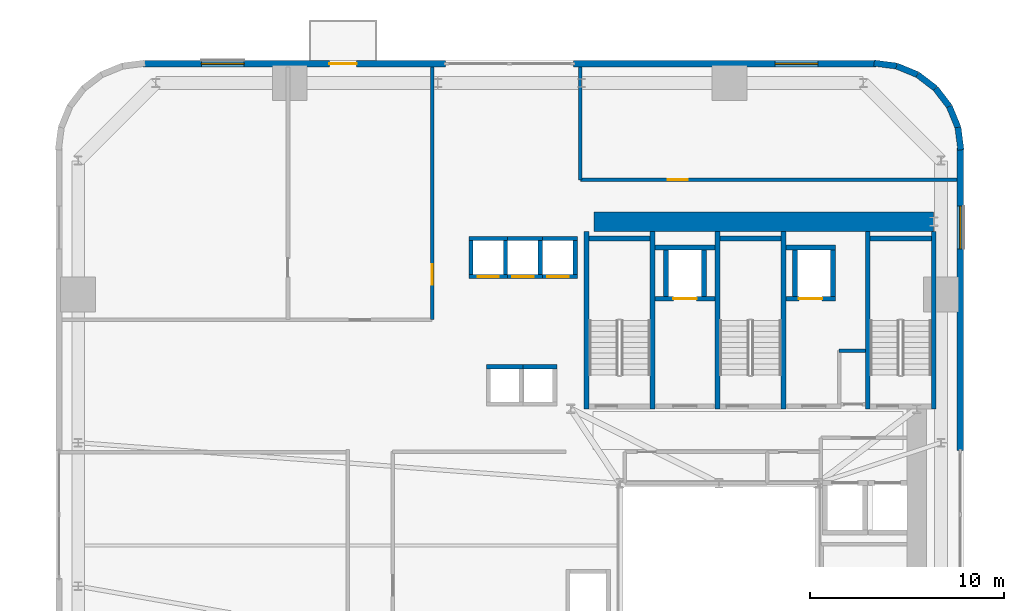
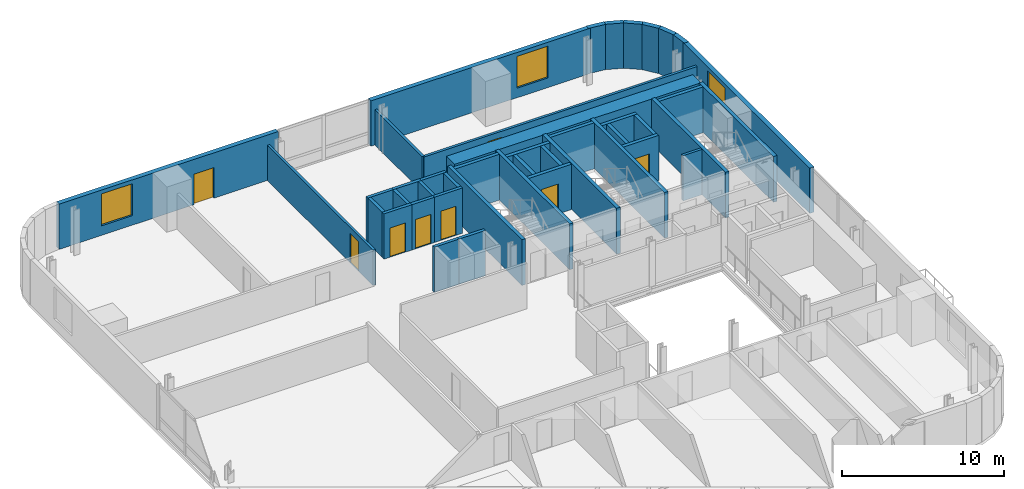
# One storey, part 8 of 13: 43 walls, 8 doors, 3 windows, 11 openings.
"""IFC4 building model written with IfcOpenShell, lengths in metres."""

from ifc_helpers import new_model, si_unit, direction, frame, frame_2d, origin, place, context, subcontext, project, spatial, rectangle, extrude, source, transform, mapped, material, layer, layer_set, type_object, element, fill, save


model = new_model("IFC4")

# Units and contexts
model_context = context("Model", 3, precision=1e-05, world=origin(), true_north=direction((0.0, 1.0)))
body_context = subcontext(model_context, "Body", "Model", "MODEL_VIEW")
ifc_project = project(units=[si_unit("LENGTHUNIT", "METRE"), si_unit("AREAUNIT", "SQUARE_METRE"), si_unit("VOLUMEUNIT", "CUBIC_METRE"), si_unit("PLANEANGLEUNIT", "RADIAN"), si_unit("MASSUNIT", "GRAM", prefix="KILO")], contexts=[model_context])

# Site, building, storey
site_placement = place(None, origin())
site = spatial("IfcSite", under=ifc_project, at=site_placement, CompositionType="ELEMENT")
building_placement = place(site_placement, origin())
building = spatial("IfcBuilding", under=site, at=building_placement, Name="Vardaveli Station Tower", CompositionType="ELEMENT")
storey_placement = place(building_placement, frame((0.0, 0.0, 82.35009765625)))
storey = spatial("IfcBuildingStorey", under=building, at=storey_placement, Name="L21", CompositionType="ELEMENT", Elevation=82.35009765625)

# Wall
ifc_material_1 = material(Name="Concrete C60/75", Category="concrete")
ifc_layer_1 = layer(ifc_material_1, 1.0, Name="Concrete C60/75")
ifc_layer_set_1 = layer_set([ifc_layer_1], Name="Concrete C60/75")
wall_type_1 = type_object("IfcWallType", Name="WAL-CORE-1000", PredefinedType="SHEAR", material=ifc_layer_set_1)
shared_shape_1 = source(origin(), body_context, "Body", "SweptSolid", [
    extrude(rectangle(XDim=17.52001953125, YDim=1.0, at=frame_2d((8.760009765625, 0.0))), origin(), (0.0, 0.0, 1.0), 3.409912109375),
])
wall_1_placement = place(storey_placement, frame((29.85009765625, 40.300048828125, 0.0), z_axis=(0.0, 0.0, 1.0), x_axis=(1.0, 0.0, 0.0)))
element("IfcWall", 1, at=wall_1_placement, inside=storey, type_object=wall_type_1, Name="SW-L21-NORTH", PredefinedType="SHEAR", context=body_context, shape_type="MappedRepresentation", body=[
    mapped(shared_shape_1, transform((0.0, 0.0, 0.0), scale=1.0)),
])

# Wall, opening, window
ifc_material_2 = material(Name="Precast concrete C45/55", Category="concrete")
ifc_layer_2 = layer(ifc_material_2, 0.320068359375, Name="Precast concrete C45/55")
ifc_layer_set_2 = layer_set([ifc_layer_2], Name="Precast concrete C45/55")
wall_type_2 = type_object("IfcWallType", Name="WAL-EXT-STONE-320", PredefinedType="SOLIDWALL", material=ifc_layer_set_2)
shared_shape_2 = source(origin(), body_context, "Body", "SweptSolid", [
    extrude(rectangle(XDim=15.599853515625, YDim=0.320068359375, at=frame_2d((7.7998046875, 0.0))), origin(), (0.0, 0.0, 1.0), 3.409912109375),
])
wall_2_placement = place(storey_placement, frame((44.39990234375, 48.43994140625, 0.0), z_axis=(0.0, 0.0, 1.0), x_axis=(-1.0, 0.0, 0.0)))
wall_2 = element("IfcWall", 2, at=wall_2_placement, inside=storey, type_object=wall_type_2, Name="EW-L21-N1", PredefinedType="SOLIDWALL", context=body_context, shape_type="MappedRepresentation", body=[
    mapped(shared_shape_2, transform((0.0, 0.0, 0.0), scale=1.0)),
])
shared_shape_3 = source(origin(), body_context, "Body", "SweptSolid", [
    extrude(rectangle(XDim=2.199951171875, YDim=2.39990234375, at=frame_2d((1.10009765625, 1.199951171875))), frame((0.0, 0.169921875, 0.0), z_axis=(0.0, -1.0, 0.0), x_axis=(1.0, 0.0, 0.0)), (0.0, 0.0, 1.0), 0.340087890625),
])
opening_1_placement = place(wall_2_placement, frame((3.0048828125, 0.0, 0.719970703125)))
opening_1 = element("IfcOpeningElement", 3, at=opening_1_placement, cuts=wall_2, Name="Opening W-03", PredefinedType="OPENING", context=body_context, shape_type="MappedRepresentation", body=[
    mapped(shared_shape_3, transform((0.0, 0.0, 0.0), scale=1.0)),
])
ifc_material_3 = material(Name="Low-E solar-control glass", Category="glass")
window_type = type_object("IfcWindowType", Name="WIN-LOG-2200x2400", PartitioningType="SINGLE_PANEL", PredefinedType="WINDOW", material=ifc_material_3)
shared_shape_4 = source(origin(), body_context, "Body", "SweptSolid", [
    extrude(rectangle(XDim=2.199951171875, YDim=2.39990234375, at=frame_2d((1.10009765625, 1.199951171875))), frame((0.0, 0.030029296875, 0.0), z_axis=(0.0, -1.0, 0.0), x_axis=(1.0, 0.0, 0.0)), (0.0, 0.0, 1.0), 0.06005859375),
])
window_1_placement = place(opening_1_placement, origin())
window_1 = element("IfcWindow", 4, at=window_1_placement, inside=storey, type_object=window_type, Name="WN-L21-N1", OverallHeight=2.39990234375, OverallWidth=2.199951171875, PartitioningType="SINGLE_PANEL", PredefinedType="WINDOW", context=body_context, shape_type="MappedRepresentation", body=[
    mapped(shared_shape_4, transform((0.0, 0.0, 0.0), scale=1.0)),
])
fill(opening_1, window_1)

# Wall, openings, door, window
wall_3_placement = place(storey_placement, frame((22.199951171875, 48.43994140625, 0.0), z_axis=(0.0, 0.0, 1.0), x_axis=(-1.0, 0.0, 0.0)))
wall_3 = element("IfcWall", 5, at=wall_3_placement, inside=storey, type_object=wall_type_2, Name="EW-L21-N2", PredefinedType="SOLIDWALL", context=body_context, shape_type="MappedRepresentation", body=[
    mapped(shared_shape_2, transform((0.0, 0.0, 0.0), scale=1.0)),
])
shared_shape_5 = source(origin(), body_context, "Body", "SweptSolid", [
    extrude(rectangle(XDim=1.39990234375, YDim=2.300048828125, at=frame_2d((0.699951171875, 1.14990234375))), frame((0.0, 0.169921875, 0.0), z_axis=(0.0, -1.0, 0.0), x_axis=(1.0, 0.0, 0.0)), (0.0, 0.0, 1.0), 0.340087890625),
])
opening_2_placement = place(wall_3_placement, frame((4.589599609375, 0.0, 0.0)))
opening_2 = element("IfcOpeningElement", 6, at=opening_2_placement, cuts=wall_3, Name="Opening D-09", PredefinedType="OPENING", context=body_context, shape_type="MappedRepresentation", body=[
    mapped(shared_shape_5, transform((0.0, 0.0, 0.0), scale=1.0)),
])
opening_3_placement = place(wall_3_placement, frame((10.39501953125, 0.0, 0.719970703125)))
opening_3 = element("IfcOpeningElement", 7, at=opening_3_placement, cuts=wall_3, Name="Opening W-03", PredefinedType="OPENING", context=body_context, shape_type="MappedRepresentation", body=[
    mapped(shared_shape_3, transform((0.0, 0.0, 0.0), scale=1.0)),
])
ifc_material_4 = material(Name="Thermally broken aluminium glass", Category="aluminium")
door_type_1 = type_object("IfcDoorType", Name="DR-LOG-1400x2300", OperationType="DOUBLE_DOOR_SLIDING", PredefinedType="DOOR", material=ifc_material_4)
shared_shape_6 = source(origin(), body_context, "Body", "SweptSolid", [
    extrude(rectangle(XDim=1.39990234375, YDim=2.300048828125, at=frame_2d((0.699951171875, 1.14990234375))), frame((0.0, 0.02490234375, 0.0), z_axis=(0.0, -1.0, 0.0), x_axis=(1.0, 0.0, 0.0)), (0.0, 0.0, 1.0), 0.050048828125),
])
door_1_placement = place(opening_2_placement, frame((1.39990234375, 0.0, 0.0), z_axis=(0.0, 0.0, 1.0), x_axis=(-1.0, 0.0, 0.0)))
door_1 = element("IfcDoor", 8, at=door_1_placement, inside=storey, type_object=door_type_1, Name="DLG-L21-N", OperationType="DOUBLE_DOOR_SLIDING", OverallHeight=2.300048828125, OverallWidth=1.39990234375, PredefinedType="DOOR", context=body_context, shape_type="MappedRepresentation", body=[
    mapped(shared_shape_6, transform((0.0, 0.0, 0.0), scale=1.0)),
])
fill(opening_2, door_1)
window_2_placement = place(opening_3_placement, origin())
window_2 = element("IfcWindow", 9, at=window_2_placement, inside=storey, type_object=window_type, Name="WN-L21-N2", OverallHeight=2.39990234375, OverallWidth=2.199951171875, PartitioningType="SINGLE_PANEL", PredefinedType="WINDOW", context=body_context, shape_type="MappedRepresentation", body=[
    mapped(shared_shape_4, transform((0.0, 0.0, 0.0), scale=1.0)),
])
fill(opening_3, window_2)

# Wall, opening, window
shared_shape_7 = source(origin(), body_context, "Body", "SweptSolid", [
    extrude(rectangle(XDim=15.60009765625, YDim=0.320068359375, at=frame_2d((7.800048828125, 0.0))), origin(), (0.0, 0.0, 1.0), 3.409912109375),
])
wall_4_placement = place(storey_placement, frame((48.739990234375, 28.5, 0.0), z_axis=(0.0, 0.0, 1.0), x_axis=(0.0, 1.0, 0.0)))
wall_4 = element("IfcWall", 10, at=wall_4_placement, inside=storey, type_object=wall_type_2, Name="EW-L21-E2", PredefinedType="SOLIDWALL", context=body_context, shape_type="MappedRepresentation", body=[
    mapped(shared_shape_7, transform((0.0, 0.0, 0.0), scale=1.0)),
])
opening_4_placement = place(wall_4_placement, frame((10.39501953125, 0.0, 0.719970703125)))
opening_4 = element("IfcOpeningElement", 11, at=opening_4_placement, cuts=wall_4, Name="Opening W-03", PredefinedType="OPENING", context=body_context, shape_type="MappedRepresentation", body=[
    mapped(shared_shape_3, transform((0.0, 0.0, 0.0), scale=1.0)),
])
window_3_placement = place(opening_4_placement, origin())
window_3 = element("IfcWindow", 12, at=window_3_placement, inside=storey, type_object=window_type, Name="WN-L21-E2", OverallHeight=2.39990234375, OverallWidth=2.199951171875, PartitioningType="SINGLE_PANEL", PredefinedType="WINDOW", context=body_context, shape_type="MappedRepresentation", body=[
    mapped(shared_shape_4, transform((0.0, 0.0, 0.0), scale=1.0)),
])
fill(opening_4, window_3)

# Walls
shared_shape_8 = source(origin(), body_context, "Body", "SweptSolid", [
    extrude(rectangle(XDim=1.1689453125, YDim=0.320068359375, at=frame_2d((0.58447265625, 0.0))), origin(), (0.0, 0.0, 1.0), 3.409912109375),
])
wall_5_placement = place(storey_placement, frame((48.179931640625, 46.2412109375, 0.0), z_axis=(0.0, 0.0, 1.0), x_axis=(-0.608387696831, 0.793639975269, 0.0)))
element("IfcWall", 13, at=wall_5_placement, inside=storey, type_object=wall_type_2, Name="EW-L21-CR3-3", PredefinedType="SOLIDWALL", context=body_context, shape_type="MappedRepresentation", body=[
    mapped(shared_shape_8, transform((0.0, 0.0, 0.0), scale=1.0)),
])
shared_shape_9 = source(origin(), body_context, "Body", "SweptSolid", [
    extrude(rectangle(XDim=1.168701171875, YDim=0.320068359375, at=frame_2d((0.58447265625, 0.0))), origin(), (0.0, 0.0, 1.0), 3.409912109375),
])
wall_6_placement = place(storey_placement, frame((47.46875, 47.1689453125, 0.0), z_axis=(0.0, 0.0, 1.0), x_axis=(-0.793663520347, 0.608356981114, 0.0)))
element("IfcWall", 14, at=wall_6_placement, inside=storey, type_object=wall_type_2, Name="EW-L21-CR3-4", PredefinedType="SOLIDWALL", context=body_context, shape_type="MappedRepresentation", body=[
    mapped(shared_shape_9, transform((0.0, 0.0, 0.0), scale=1.0)),
])
shared_shape_10 = source(origin(), body_context, "Body", "SweptSolid", [
    extrude(rectangle(XDim=1.17041015625, YDim=0.320068359375, at=frame_2d((0.585205078125, 0.0))), origin(), (0.0, 0.0, 1.0), 3.409912109375),
])
for number, where, z_axis, x_axis, name in (
    (15, (48.775634765625, 43.99951171875, 0.0), (0.0, 0.0, 1.0), (-0.128295670475, 0.991735963317, 0.0), "EW-L21-CR3-1"),
    (16, (45.460205078125, 48.325439453125, 0.0), (0.0, 0.0, 1.0), (-0.991735963317, 0.128295670475, 0.0), "EW-L21-CR3-6"),
):
    element("IfcWall", number, at=place(storey_placement, frame(where, z_axis=z_axis, x_axis=x_axis)), inside=storey, type_object=wall_type_2, Name=name, PredefinedType="SOLIDWALL", context=body_context, shape_type="MappedRepresentation", body=[
        mapped(shared_shape_10, transform((0.0, 0.0, 0.0), scale=1.0)),
    ])
shared_shape_11 = source(origin(), body_context, "Body", "SweptSolid", [
    extrude(rectangle(XDim=1.169189453125, YDim=0.320068359375, at=frame_2d((0.58447265625, 0.0))), origin(), (0.0, 0.0, 1.0), 3.409912109375),
])
for number, where, z_axis, x_axis, name in (
    (17, (48.62548828125, 45.16015625, 0.0), (0.0, 0.0, 1.0), (-0.381054331552, 0.924552646638, 0.0), "EW-L21-CR3-2"),
    (18, (46.541259765625, 47.8798828125, 0.0), (0.0, 0.0, 1.0), (-0.924552646638, 0.381054331552, 0.0), "EW-L21-CR3-5"),
):
    element("IfcWall", number, at=place(storey_placement, frame(where, z_axis=z_axis, x_axis=x_axis)), inside=storey, type_object=wall_type_2, Name=name, PredefinedType="SOLIDWALL", context=body_context, shape_type="MappedRepresentation", body=[
        mapped(shared_shape_11, transform((0.0, 0.0, 0.0), scale=1.0)),
    ])
ifc_material_5 = material(Name="Concrete C40/50", Category="concrete")
ifc_layer_3 = layer(ifc_material_5, 0.25, Name="Concrete C40/50")
ifc_layer_set_3 = layer_set([ifc_layer_3], Name="Concrete C40/50")
wall_type_3 = type_object("IfcWallType", Name="WAL-SHAFT-250", PredefinedType="SOLIDWALL", material=ifc_layer_set_3)
shared_shape_12 = source(origin(), body_context, "Body", "SweptSolid", [
    extrude(rectangle(XDim=9.150146484375, YDim=0.25, at=frame_2d((4.5751953125, 0.0))), origin(), (0.0, 0.0, 1.0), 3.449951171875),
])
for number, where, z_axis, x_axis, name in (
    (19, (29.47509765625, 30.64990234375, 0.0), (0.0, 0.0, 1.0), (0.0, 1.0, 0.0), "W-L21-ST-1W"),
    (20, (32.875, 30.64990234375, 0.0), (0.0, 0.0, 1.0), (0.0, 1.0, 0.0), "W-L21-ST-1E"),
    (21, (36.22509765625, 30.64990234375, 0.0), (0.0, 0.0, 1.0), (0.0, 1.0, 0.0), "W-L21-ST-2W"),
    (22, (39.625, 30.64990234375, 0.0), (0.0, 0.0, 1.0), (0.0, 1.0, 0.0), "W-L21-ST-2E"),
    (23, (43.97509765625, 30.64990234375, 0.0), (0.0, 0.0, 1.0), (0.0, 1.0, 0.0), "W-L21-ST-3W"),
    (24, (47.375, 30.64990234375, 0.0), (0.0, 0.0, 1.0), (0.0, 1.0, 0.0), "W-L21-ST-3E"),
):
    element("IfcWall", number, at=place(storey_placement, frame(where, z_axis=z_axis, x_axis=x_axis)), inside=storey, type_object=wall_type_3, Name=name, PredefinedType="SOLIDWALL", context=body_context, shape_type="MappedRepresentation", body=[
        mapped(shared_shape_12, transform((0.0, 0.0, 0.0), scale=1.0)),
    ])
shared_shape_13 = source(origin(), body_context, "Body", "SweptSolid", [
    extrude(rectangle(XDim=3.14990234375, YDim=0.25, at=frame_2d((1.574951171875, 0.0))), origin(), (0.0, 0.0, 1.0), 3.449951171875),
])
for number, where, z_axis, x_axis, name in (
    (25, (29.60009765625, 39.425048828125, 0.0), (0.0, 0.0, 1.0), (1.0, 0.0, 0.0), "W-L21-ST-1N"),
    (26, (36.35009765625, 39.425048828125, 0.0), (0.0, 0.0, 1.0), (1.0, 0.0, 0.0), "W-L21-ST-2N"),
    (27, (44.10009765625, 39.425048828125, 0.0), (0.0, 0.0, 1.0), (1.0, 0.0, 0.0), "W-L21-ST-3N"),
):
    element("IfcWall", number, at=place(storey_placement, frame(where, z_axis=z_axis, x_axis=x_axis)), inside=storey, type_object=wall_type_3, Name=name, PredefinedType="SOLIDWALL", context=body_context, shape_type="MappedRepresentation", body=[
        mapped(shared_shape_13, transform((0.0, 0.0, 0.0), scale=1.0)),
    ])
ifc_layer_4 = layer(ifc_material_5, 0.219970703125, Name="Concrete C40/50")
ifc_layer_set_4 = layer_set([ifc_layer_4], Name="Concrete C40/50")
wall_type_4 = type_object("IfcWallType", Name="WAL-FFLOBBY-220", PredefinedType="SOLIDWALL", material=ifc_layer_set_4)
shared_shape_14 = source(origin(), body_context, "Body", "SweptSolid", [
    extrude(rectangle(XDim=1.75, YDim=0.219970703125, at=frame_2d((0.875, 0.0))), origin(), (0.0, 0.0, 1.0), 3.409912109375),
])
for number, where, z_axis, x_axis, name in (
    (28, (23.514892578125, 37.574951171875, 0.0), (0.0, 0.0, 1.0), (0.0, 1.0, 0.0), "SHW-HL1-01-L21-W"),
    (29, (25.284912109375, 37.574951171875, 0.0), (0.0, 0.0, 1.0), (0.0, 1.0, 0.0), "SHW-HL1-01-L21-E"),
    (30, (27.0849609375, 37.574951171875, 0.0), (0.0, 0.0, 1.0), (0.0, 1.0, 0.0), "SHW-HL1-02-L21-E"),
    (31, (28.885009765625, 37.574951171875, 0.0), (0.0, 0.0, 1.0), (0.0, 1.0, 0.0), "SHW-HL1-03-L21-E"),
):
    element("IfcWall", number, at=place(storey_placement, frame(where, z_axis=z_axis, x_axis=x_axis)), inside=storey, type_object=wall_type_4, Name=name, PredefinedType="SOLIDWALL", context=body_context, shape_type="MappedRepresentation", body=[
        mapped(shared_shape_14, transform((0.0, 0.0, 0.0), scale=1.0)),
    ])

# Wall, opening, door
shared_shape_15 = source(origin(), body_context, "Body", "SweptSolid", [
    extrude(rectangle(XDim=1.989990234375, YDim=0.219970703125, at=frame_2d((0.9951171875, 0.0))), origin(), (0.0, 0.0, 1.0), 3.409912109375),
])
wall_7_placement = place(storey_placement, frame((23.405029296875, 37.465087890625, 0.0), z_axis=(0.0, 0.0, 1.0), x_axis=(1.0, 0.0, 0.0)))
wall_7 = element("IfcWall", 32, at=wall_7_placement, inside=storey, type_object=wall_type_4, Name="SHW-HL1-01-L21-S", PredefinedType="SOLIDWALL", context=body_context, shape_type="MappedRepresentation", body=[
    mapped(shared_shape_15, transform((0.0, 0.0, 0.0), scale=1.0)),
])
shared_shape_16 = source(origin(), body_context, "Body", "SweptSolid", [
    extrude(rectangle(XDim=1.10009765625, YDim=2.199951171875, at=frame_2d((0.550048828125, 1.10009765625))), frame((0.0, 0.1201171875, 0.0), z_axis=(0.0, -1.0, 0.0), x_axis=(1.0, 0.0, 0.0)), (0.0, 0.0, 1.0), 0.239990234375),
])
opening_5_placement = place(wall_7_placement, frame((0.445068359375, 0.0, 0.0)))
opening_5 = element("IfcOpeningElement", 33, at=opening_5_placement, cuts=wall_7, Name="Opening LD-01", PredefinedType="OPENING", context=body_context, shape_type="MappedRepresentation", body=[
    mapped(shared_shape_16, transform((0.0, 0.0, 0.0), scale=1.0)),
])
ifc_material_6 = material(Name="Brushed stainless steel", Category="steel")
door_type_2 = type_object("IfcDoorType", Name="DR-LD-1100x2200", OperationType="DOUBLE_DOOR_SLIDING", PredefinedType="DOOR", material=ifc_material_6)
shared_shape_17 = source(origin(), body_context, "Body", "SweptSolid", [
    extrude(rectangle(XDim=1.10009765625, YDim=2.199951171875, at=frame_2d((0.550048828125, 1.10009765625))), frame((0.0, 0.02490234375, 0.0), z_axis=(0.0, -1.0, 0.0), x_axis=(1.0, 0.0, 0.0)), (0.0, 0.0, 1.0), 0.050048828125),
])
door_2_placement = place(opening_5_placement, origin())
door_2 = element("IfcDoor", 34, at=door_2_placement, inside=storey, type_object=door_type_2, Name="LD-HL1-01-L21", OperationType="DOUBLE_DOOR_SLIDING", OverallHeight=2.199951171875, OverallWidth=1.10009765625, PredefinedType="DOOR", context=body_context, shape_type="MappedRepresentation", body=[
    mapped(shared_shape_17, transform((0.0, 0.0, 0.0), scale=1.0)),
])
fill(opening_5, door_2)

# Wall
wall_8_placement = place(storey_placement, frame((23.405029296875, 39.43505859375, 0.0), z_axis=(0.0, 0.0, 1.0), x_axis=(1.0, 0.0, 0.0)))
element("IfcWall", 35, at=wall_8_placement, inside=storey, type_object=wall_type_4, Name="SHW-HL1-01-L21-N", PredefinedType="SOLIDWALL", context=body_context, shape_type="MappedRepresentation", body=[
    mapped(shared_shape_15, transform((0.0, 0.0, 0.0), scale=1.0)),
])

# Wall, opening, door
wall_9_placement = place(storey_placement, frame((25.205078125, 37.465087890625, 0.0), z_axis=(0.0, 0.0, 1.0), x_axis=(1.0, 0.0, 0.0)))
wall_9 = element("IfcWall", 36, at=wall_9_placement, inside=storey, type_object=wall_type_4, Name="SHW-HL1-02-L21-S", PredefinedType="SOLIDWALL", context=body_context, shape_type="MappedRepresentation", body=[
    mapped(shared_shape_15, transform((0.0, 0.0, 0.0), scale=1.0)),
])
opening_6_placement = place(wall_9_placement, frame((0.445068359375, 0.0, 0.0)))
opening_6 = element("IfcOpeningElement", 37, at=opening_6_placement, cuts=wall_9, Name="Opening LD-01", PredefinedType="OPENING", context=body_context, shape_type="MappedRepresentation", body=[
    mapped(shared_shape_16, transform((0.0, 0.0, 0.0), scale=1.0)),
])
door_3_placement = place(opening_6_placement, origin())
door_3 = element("IfcDoor", 38, at=door_3_placement, inside=storey, type_object=door_type_2, Name="LD-HL1-02-L21", OperationType="DOUBLE_DOOR_SLIDING", OverallHeight=2.199951171875, OverallWidth=1.10009765625, PredefinedType="DOOR", context=body_context, shape_type="MappedRepresentation", body=[
    mapped(shared_shape_17, transform((0.0, 0.0, 0.0), scale=1.0)),
])
fill(opening_6, door_3)

# Wall
wall_10_placement = place(storey_placement, frame((25.205078125, 39.43505859375, 0.0), z_axis=(0.0, 0.0, 1.0), x_axis=(1.0, 0.0, 0.0)))
element("IfcWall", 39, at=wall_10_placement, inside=storey, type_object=wall_type_4, Name="SHW-HL1-02-L21-N", PredefinedType="SOLIDWALL", context=body_context, shape_type="MappedRepresentation", body=[
    mapped(shared_shape_15, transform((0.0, 0.0, 0.0), scale=1.0)),
])

# Wall, opening, door
shared_shape_18 = source(origin(), body_context, "Body", "SweptSolid", [
    extrude(rectangle(XDim=1.990234375, YDim=0.219970703125, at=frame_2d((0.9951171875, 0.0))), origin(), (0.0, 0.0, 1.0), 3.409912109375),
])
wall_11_placement = place(storey_placement, frame((27.0048828125, 37.465087890625, 0.0), z_axis=(0.0, 0.0, 1.0), x_axis=(1.0, 0.0, 0.0)))
wall_11 = element("IfcWall", 40, at=wall_11_placement, inside=storey, type_object=wall_type_4, Name="SHW-HL1-03-L21-S", PredefinedType="SOLIDWALL", context=body_context, shape_type="MappedRepresentation", body=[
    mapped(shared_shape_18, transform((0.0, 0.0, 0.0), scale=1.0)),
])
opening_7_placement = place(wall_11_placement, frame((0.445068359375, 0.0, 0.0)))
opening_7 = element("IfcOpeningElement", 41, at=opening_7_placement, cuts=wall_11, Name="Opening LD-01", PredefinedType="OPENING", context=body_context, shape_type="MappedRepresentation", body=[
    mapped(shared_shape_16, transform((0.0, 0.0, 0.0), scale=1.0)),
])
door_4_placement = place(opening_7_placement, origin())
door_4 = element("IfcDoor", 42, at=door_4_placement, inside=storey, type_object=door_type_2, Name="LD-HL1-03-L21", OperationType="DOUBLE_DOOR_SLIDING", OverallHeight=2.199951171875, OverallWidth=1.10009765625, PredefinedType="DOOR", context=body_context, shape_type="MappedRepresentation", body=[
    mapped(shared_shape_17, transform((0.0, 0.0, 0.0), scale=1.0)),
])
fill(opening_7, door_4)

# Wall
wall_12_placement = place(storey_placement, frame((27.0048828125, 39.43505859375, 0.0), z_axis=(0.0, 0.0, 1.0), x_axis=(1.0, 0.0, 0.0)))
element("IfcWall", 43, at=wall_12_placement, inside=storey, type_object=wall_type_4, Name="SHW-HL1-03-L21-N", PredefinedType="SOLIDWALL", context=body_context, shape_type="MappedRepresentation", body=[
    mapped(shared_shape_18, transform((0.0, 0.0, 0.0), scale=1.0)),
])

# Wall, opening, door
shared_shape_19 = source(origin(), body_context, "Body", "SweptSolid", [
    extrude(rectangle(XDim=3.10009765625, YDim=0.25, at=frame_2d((1.550048828125, 0.0))), origin(), (0.0, 0.0, 1.0), 3.409912109375),
])
wall_13_placement = place(storey_placement, frame((33.0, 36.324951171875, 0.0), z_axis=(0.0, 0.0, 1.0), x_axis=(1.0, 0.0, 0.0)))
wall_13 = element("IfcWall", 44, at=wall_13_placement, inside=storey, type_object=wall_type_3, Name="SHW-FFL-01-L21-S", PredefinedType="SOLIDWALL", context=body_context, shape_type="MappedRepresentation", body=[
    mapped(shared_shape_19, transform((0.0, 0.0, 0.0), scale=1.0)),
])
shared_shape_20 = source(origin(), body_context, "Body", "SweptSolid", [
    extrude(rectangle(XDim=1.199951171875, YDim=2.25, at=frame_2d((0.60009765625, 1.125))), frame((0.0, 0.135009765625, 0.0), z_axis=(0.0, -1.0, 0.0), x_axis=(1.0, 0.0, 0.0)), (0.0, 0.0, 1.0), 0.27001953125),
])
opening_8_placement = place(wall_13_placement, frame((0.949951171875, 0.0, 0.0)))
opening_8 = element("IfcOpeningElement", 45, at=opening_8_placement, cuts=wall_13, Name="Opening LD-02", PredefinedType="OPENING", context=body_context, shape_type="MappedRepresentation", body=[
    mapped(shared_shape_20, transform((0.0, 0.0, 0.0), scale=1.0)),
])
door_type_3 = type_object("IfcDoorType", Name="DR-LD-1200x2250", OperationType="DOUBLE_DOOR_SLIDING", PredefinedType="DOOR", material=ifc_material_6)
shared_shape_21 = source(origin(), body_context, "Body", "SweptSolid", [
    extrude(rectangle(XDim=1.199951171875, YDim=2.25, at=frame_2d((0.60009765625, 1.125))), frame((0.0, 0.02490234375, 0.0), z_axis=(0.0, -1.0, 0.0), x_axis=(1.0, 0.0, 0.0)), (0.0, 0.0, 1.0), 0.050048828125),
])
door_5_placement = place(opening_8_placement, origin())
door_5 = element("IfcDoor", 46, at=door_5_placement, inside=storey, type_object=door_type_3, Name="LD-FFL-01-L21", OperationType="DOUBLE_DOOR_SLIDING", OverallHeight=2.25, OverallWidth=1.199951171875, PredefinedType="DOOR", context=body_context, shape_type="MappedRepresentation", body=[
    mapped(shared_shape_21, transform((0.0, 0.0, 0.0), scale=1.0)),
])
fill(opening_8, door_5)

# Walls
wall_14_placement = place(storey_placement, frame((33.0, 38.97509765625, 0.0), z_axis=(0.0, 0.0, 1.0), x_axis=(1.0, 0.0, 0.0)))
element("IfcWall", 47, at=wall_14_placement, inside=storey, type_object=wall_type_3, Name="SHW-FFL-01-L21-N", PredefinedType="SOLIDWALL", context=body_context, shape_type="MappedRepresentation", body=[
    mapped(shared_shape_19, transform((0.0, 0.0, 0.0), scale=1.0)),
])
shared_shape_22 = source(origin(), body_context, "Body", "SweptSolid", [
    extrude(rectangle(XDim=2.400146484375, YDim=0.25, at=frame_2d((1.2001953125, 0.0))), origin(), (0.0, 0.0, 1.0), 3.409912109375),
])
for number, where, z_axis, x_axis, name in (
    (48, (33.574951171875, 36.449951171875, 0.0), (0.0, 0.0, 1.0), (0.0, 1.0, 0.0), "SHW-FFL-01-L21-W"),
    (49, (35.52490234375, 36.449951171875, 0.0), (0.0, 0.0, 1.0), (0.0, 1.0, 0.0), "SHW-FFL-01-L21-E"),
    (50, (40.22509765625, 36.449951171875, 0.0), (0.0, 0.0, 1.0), (0.0, 1.0, 0.0), "SHW-FFL-02-L21-W"),
    (51, (42.175048828125, 36.449951171875, 0.0), (0.0, 0.0, 1.0), (0.0, 1.0, 0.0), "SHW-FFL-02-L21-E"),
):
    element("IfcWall", number, at=place(storey_placement, frame(where, z_axis=z_axis, x_axis=x_axis)), inside=storey, type_object=wall_type_3, Name=name, PredefinedType="SOLIDWALL", context=body_context, shape_type="MappedRepresentation", body=[
        mapped(shared_shape_22, transform((0.0, 0.0, 0.0), scale=1.0)),
    ])

# Wall, opening, door
shared_shape_23 = source(origin(), body_context, "Body", "SweptSolid", [
    extrude(rectangle(XDim=2.550048828125, YDim=0.25, at=frame_2d((1.27490234375, 0.0))), origin(), (0.0, 0.0, 1.0), 3.409912109375),
])
wall_15_placement = place(storey_placement, frame((39.75, 36.324951171875, 0.0), z_axis=(0.0, 0.0, 1.0), x_axis=(1.0, 0.0, 0.0)))
wall_15 = element("IfcWall", 52, at=wall_15_placement, inside=storey, type_object=wall_type_3, Name="SHW-FFL-02-L21-S", PredefinedType="SOLIDWALL", context=body_context, shape_type="MappedRepresentation", body=[
    mapped(shared_shape_23, transform((0.0, 0.0, 0.0), scale=1.0)),
])
opening_9_placement = place(wall_15_placement, frame((0.675048828125, 0.0, 0.0)))
opening_9 = element("IfcOpeningElement", 53, at=opening_9_placement, cuts=wall_15, Name="Opening LD-02", PredefinedType="OPENING", context=body_context, shape_type="MappedRepresentation", body=[
    mapped(shared_shape_20, transform((0.0, 0.0, 0.0), scale=1.0)),
])
door_6_placement = place(opening_9_placement, origin())
door_6 = element("IfcDoor", 54, at=door_6_placement, inside=storey, type_object=door_type_3, Name="LD-FFL-02-L21", OperationType="DOUBLE_DOOR_SLIDING", OverallHeight=2.25, OverallWidth=1.199951171875, PredefinedType="DOOR", context=body_context, shape_type="MappedRepresentation", body=[
    mapped(shared_shape_21, transform((0.0, 0.0, 0.0), scale=1.0)),
])
fill(opening_9, door_6)

# Walls
wall_16_placement = place(storey_placement, frame((39.75, 38.97509765625, 0.0), z_axis=(0.0, 0.0, 1.0), x_axis=(1.0, 0.0, 0.0)))
element("IfcWall", 55, at=wall_16_placement, inside=storey, type_object=wall_type_3, Name="SHW-FFL-02-L21-N", PredefinedType="SOLIDWALL", context=body_context, shape_type="MappedRepresentation", body=[
    mapped(shared_shape_23, transform((0.0, 0.0, 0.0), scale=1.0)),
])
shared_shape_24 = source(origin(), body_context, "Body", "SweptSolid", [
    extrude(rectangle(XDim=1.89013671875, YDim=0.219970703125, at=frame_2d((0.945068359375, 0.0))), origin(), (0.0, 0.0, 1.0), 3.409912109375),
])
for number, where, z_axis, x_axis, name in (
    (56, (24.304931640625, 32.81005859375, 0.0), (0.0, 0.0, 1.0), (1.0, 0.0, 0.0), "SHW-SHU-01-L21-N"),
    (57, (26.054931640625, 32.81005859375, 0.0), (0.0, 0.0, 1.0), (1.0, 0.0, 0.0), "SHW-SHU-02-L21-N"),
):
    element("IfcWall", number, at=place(storey_placement, frame(where, z_axis=z_axis, x_axis=x_axis)), inside=storey, type_object=wall_type_4, Name=name, PredefinedType="SOLIDWALL", context=body_context, shape_type="MappedRepresentation", body=[
        mapped(shared_shape_24, transform((0.0, 0.0, 0.0), scale=1.0)),
    ])

# Wall, opening, door
ifc_material_7 = material(Name="Fire-rated gypsum stud partition")
ifc_layer_5 = layer(ifc_material_7, 0.179931640625, Name="Fire-rated gypsum stud partition")
ifc_layer_set_5 = layer_set([ifc_layer_5], Name="Fire-rated gypsum stud partition")
wall_type_5 = type_object("IfcWallType", Name="WAL-CORR-180", PredefinedType="PARTITIONING", material=ifc_layer_set_5)
shared_shape_25 = source(origin(), body_context, "Body", "SweptSolid", [
    extrude(rectangle(XDim=19.427978515625, YDim=0.179931640625, at=frame_2d((9.7138671875, 0.0))), origin(), (0.0, 0.0, 1.0), 2.65185546875),
])
wall_17_placement = place(storey_placement, frame((29.14990234375, 42.449951171875, 0.0), z_axis=(0.0, 0.0, 1.0), x_axis=(1.0, 0.0, 0.0)))
wall_17 = element("IfcWall", 58, at=wall_17_placement, inside=storey, type_object=wall_type_5, Name="W-L21-NPS", PredefinedType="PARTITIONING", context=body_context, shape_type="MappedRepresentation", body=[
    mapped(shared_shape_25, transform((0.0, 0.0, 0.0), scale=1.0)),
])
shared_shape_26 = source(origin(), body_context, "Body", "SweptSolid", [
    extrude(rectangle(XDim=1.050048828125, YDim=2.199951171875, at=frame_2d((0.52490234375, 1.10009765625))), frame((0.0, 0.10009765625, 0.0), z_axis=(0.0, -1.0, 0.0), x_axis=(1.0, 0.0, 0.0)), (0.0, 0.0, 1.0), 0.199951171875),
])
opening_10_placement = place(wall_17_placement, frame((4.5, 0.0, 0.0)))
opening_10 = element("IfcOpeningElement", 59, at=opening_10_placement, cuts=wall_17, Name="Opening D-05", PredefinedType="OPENING", context=body_context, shape_type="MappedRepresentation", body=[
    mapped(shared_shape_26, transform((0.0, 0.0, 0.0), scale=1.0)),
])
ifc_material_8 = material(Name="Walnut veneer acoustic fire door")
door_type_4 = type_object("IfcDoorType", Name="DR-SUITE-1050x2200", OperationType="NOTDEFINED", PredefinedType="DOOR", material=ifc_material_8)
shared_shape_27 = source(origin(), body_context, "Body", "SweptSolid", [
    extrude(rectangle(XDim=1.050048828125, YDim=2.199951171875, at=frame_2d((0.52490234375, 1.10009765625))), frame((0.0, 0.02490234375, 0.0), z_axis=(0.0, -1.0, 0.0), x_axis=(1.0, 0.0, 0.0)), (0.0, 0.0, 1.0), 0.050048828125),
])
door_7_placement = place(opening_10_placement, origin())
door_7 = element("IfcDoor", 60, at=door_7_placement, inside=storey, type_object=door_type_4, Name="D-L21-NP1", OperationType="SINGLE_SWING_LEFT", OverallHeight=2.199951171875, OverallWidth=1.050048828125, PredefinedType="DOOR", context=body_context, shape_type="MappedRepresentation", body=[
    mapped(shared_shape_27, transform((0.0, 0.0, 0.0), scale=1.0)),
])
fill(opening_10, door_7)

# Walls
shared_shape_28 = source(origin(), body_context, "Body", "SweptSolid", [
    extrude(rectangle(XDim=5.828125, YDim=0.179931640625, at=frame_2d((2.9140625, 0.0))), origin(), (0.0, 0.0, 1.0), 2.65185546875),
])
wall_18_placement = place(storey_placement, frame((29.14990234375, 42.449951171875, 0.0), z_axis=(0.0, 0.0, 1.0), x_axis=(0.0, 1.0, 0.0)))
element("IfcWall", 61, at=wall_18_placement, inside=storey, type_object=wall_type_5, Name="W-L21-NPW", PredefinedType="PARTITIONING", context=body_context, shape_type="MappedRepresentation", body=[
    mapped(shared_shape_28, transform((0.0, 0.0, 0.0), scale=1.0)),
])
shared_shape_29 = source(origin(), body_context, "Body", "SweptSolid", [
    extrude(rectangle(XDim=1.347900390625, YDim=0.179931640625, at=frame_2d((0.673828125, 0.0))), origin(), (0.0, 0.0, 1.0), 3.409912109375),
])
wall_19_placement = place(storey_placement, frame((42.5, 33.64990234375, 0.0), z_axis=(0.0, 0.0, 1.0), x_axis=(1.0, 0.0, 0.0)))
element("IfcWall", 62, at=wall_19_placement, inside=storey, type_object=wall_type_5, Name="W-L21-CBS0-N", PredefinedType="PARTITIONING", context=body_context, shape_type="MappedRepresentation", body=[
    mapped(shared_shape_29, transform((0.0, 0.0, 0.0), scale=1.0)),
])

# Wall, opening, door
shared_shape_30 = source(origin(), body_context, "Body", "SweptSolid", [
    extrude(rectangle(XDim=13.028076171875, YDim=0.179931640625, at=frame_2d((6.51416015625, 0.0))), origin(), (0.0, 0.0, 1.0), 2.65185546875),
])
wall_20_placement = place(storey_placement, frame((21.5, 35.25, 0.0), z_axis=(0.0, 0.0, 1.0), x_axis=(0.0, 1.0, 0.0)))
wall_20 = element("IfcWall", 63, at=wall_20_placement, inside=storey, type_object=wall_type_5, Name="W-L21-CNWE", PredefinedType="PARTITIONING", context=body_context, shape_type="MappedRepresentation", body=[
    mapped(shared_shape_30, transform((0.0, 0.0, 0.0), scale=1.0)),
])
opening_11_placement = place(wall_20_placement, frame((1.800048828125, 0.0, 0.0)))
opening_11 = element("IfcOpeningElement", 64, at=opening_11_placement, cuts=wall_20, Name="Opening D-05", PredefinedType="OPENING", context=body_context, shape_type="MappedRepresentation", body=[
    mapped(shared_shape_26, transform((0.0, 0.0, 0.0), scale=1.0)),
])
door_8_placement = place(opening_11_placement, origin())
door_8 = element("IfcDoor", 65, at=door_8_placement, inside=storey, type_object=door_type_4, Name="D-L21-GNWE", OperationType="SINGLE_SWING_RIGHT", OverallHeight=2.199951171875, OverallWidth=1.050048828125, PredefinedType="DOOR", context=body_context, shape_type="MappedRepresentation", body=[
    mapped(shared_shape_27, transform((0.0, 0.0, 0.0), scale=1.0)),
])
fill(opening_11, door_8)

save(model, "model.ifc")
